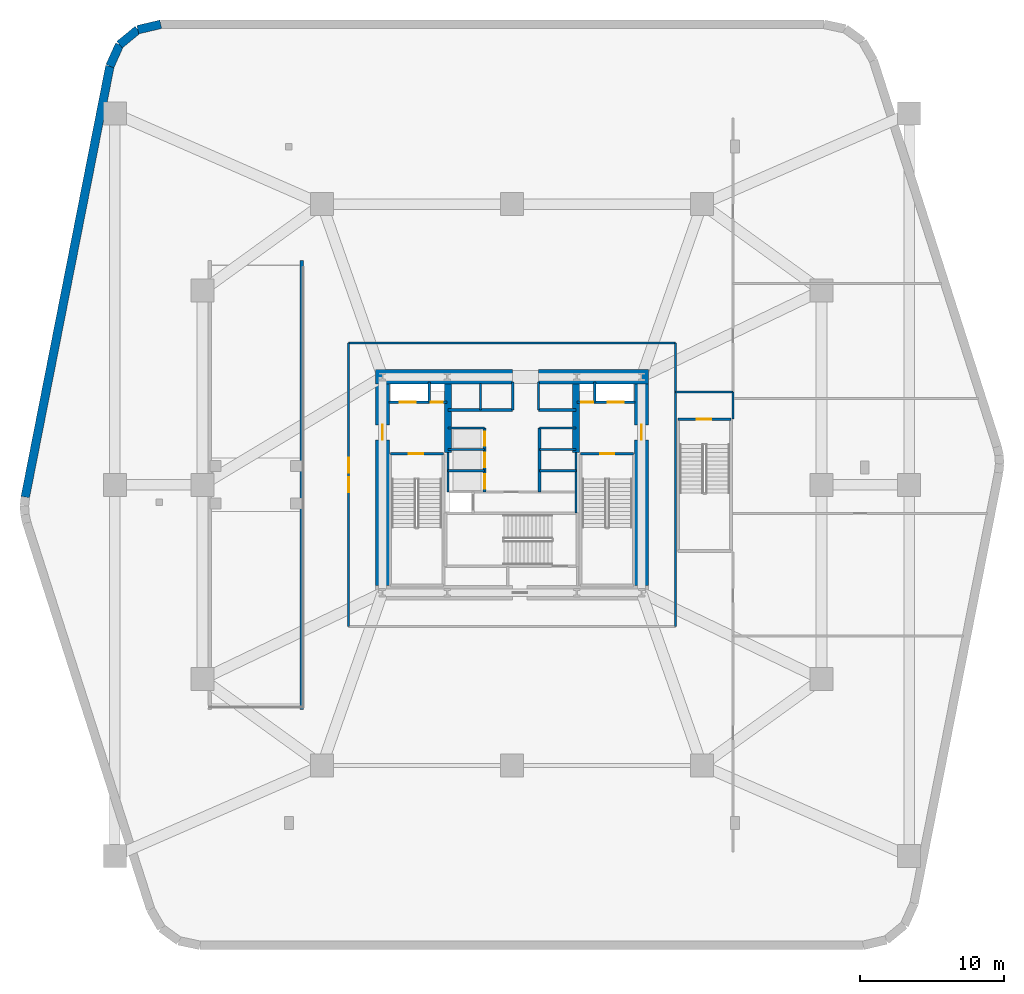
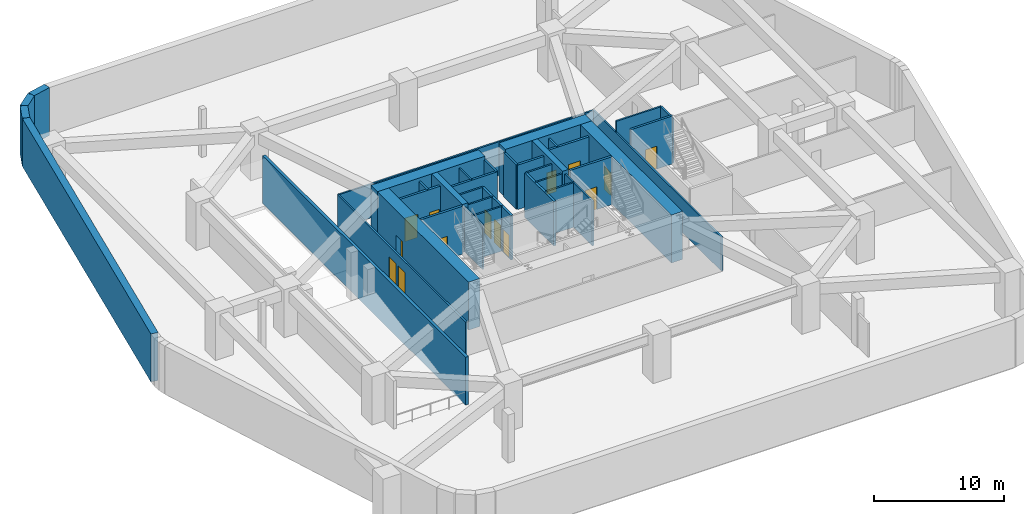
# One storey, part 4 of 9: 38 walls, 14 doors, 14 openings.
"""IFC4 building model written with IfcOpenShell, lengths in metres."""

from ifc_helpers import new_model, si_unit, direction, frame, frame_2d, origin, place, context, subcontext, project, spatial, rectangle, extrude, material, layer, layer_set, type_object, element, fill, save


model = new_model("IFC4")

# Units and contexts
model_context = context("Model", 3, precision=1e-05, world=origin(), true_north=direction((0.0, 1.0)))
body_context = subcontext(model_context, "Body", "Model", "MODEL_VIEW")
ifc_project = project(units=[si_unit("LENGTHUNIT", "METRE"), si_unit("AREAUNIT", "SQUARE_METRE"), si_unit("VOLUMEUNIT", "CUBIC_METRE"), si_unit("PLANEANGLEUNIT", "RADIAN"), si_unit("MASSUNIT", "GRAM", prefix="KILO")], contexts=[model_context])

# Site, building, storey
site_placement = place(None, origin())
site = spatial("IfcSite", under=ifc_project, at=site_placement, CompositionType="ELEMENT")
building_placement = place(site_placement, origin())
building = spatial("IfcBuilding", under=site, at=building_placement, Name="Kilnhurst Terrace Hotel", CompositionType="ELEMENT")
storey_placement = place(building_placement, frame((0.0, 0.0, -4.5)))
storey = spatial("IfcBuildingStorey", under=building, at=storey_placement, Name="B1", CompositionType="ELEMENT", Elevation=-4.5)

# Wall, openings, doors
ifc_material_1 = material(Name="Acoustic Double-Gypsum Corridor Partition Assembly")
ifc_layer_1 = layer(ifc_material_1, 0.14990234375, Name="Acoustic Double-Gypsum Corridor Partition Assembly")
ifc_layer_set_1 = layer_set([ifc_layer_1], Name="Acoustic Double-Gypsum Corridor Partition Assembly")
wall_type_1 = type_object("IfcWallType", Name="WL-COR-150", PredefinedType="PARTITIONING", material=ifc_layer_set_1)
wall_1_placement = place(storey_placement, frame((-11.35009765625, -9.85009765625, 0.0), z_axis=(0.0, 0.0, 1.0), x_axis=(0.0, 1.0, 0.0)))
wall_1 = element("IfcWall", 1, at=wall_1_placement, inside=storey, type_object=wall_type_1, Name="B1 Interior Wall WL-B1-COR-01", PredefinedType="PARTITIONING", context=body_context, shape_type="SweptSolid", body=[
    extrude(rectangle(XDim=19.7001953125, YDim=0.14990234375, at=frame_2d((9.85009765625, 0.0))), origin(), (0.0, 0.0, 1.0), 3.169921875),
])
opening_1_placement = place(wall_1_placement, frame((9.324951171875, 0.0, 0.0)))
opening_1 = element("IfcOpeningElement", 2, at=opening_1_placement, cuts=wall_1, Name="Opening D-90A", PredefinedType="OPENING", context=body_context, shape_type="SweptSolid", body=[
    extrude(rectangle(XDim=1.050048828125, YDim=2.14990234375, at=frame_2d((0.52490234375, 1.074951171875))), frame((0.0, 0.0849609375, 0.0), z_axis=(0.0, -1.0, 0.0), x_axis=(1.0, 0.0, 0.0)), (0.0, 0.0, 1.0), 0.169921875),
])
opening_2_placement = place(wall_1_placement, frame((10.675048828125, 0.0, 0.0)))
opening_2 = element("IfcOpeningElement", 3, at=opening_2_placement, cuts=wall_1, Name="Opening D-90A", PredefinedType="OPENING", context=body_context, shape_type="SweptSolid", body=[
    extrude(rectangle(XDim=1.050048828125, YDim=2.14990234375, at=frame_2d((0.52490234375, 1.074951171875))), frame((0.0, 0.0849609375, 0.0), z_axis=(0.0, -1.0, 0.0), x_axis=(1.0, 0.0, 0.0)), (0.0, 0.0, 1.0), 0.169921875),
])
ifc_material_2 = material(Name="Painted Hollow Metal Steel ASTM A36 Fire Door", Category="steel")
door_type_1 = type_object("IfcDoorType", Name="DR-FD90-1050", OperationType="NOTDEFINED", PredefinedType="DOOR", material=ifc_material_2)
door_1_placement = place(opening_1_placement, origin())
door_1 = element("IfcDoor", 4, at=door_1_placement, inside=storey, type_object=door_type_1, Name="B1 Car Park West Vestibule Door", OperationType="SINGLE_SWING_LEFT", OverallHeight=2.14990234375, OverallWidth=1.050048828125, PredefinedType="DOOR", context=body_context, shape_type="SweptSolid", body=[
    extrude(rectangle(XDim=1.050048828125, YDim=2.14990234375, at=frame_2d((0.52490234375, 1.074951171875))), frame((0.0, 0.02490234375, 0.0), z_axis=(0.0, -1.0, 0.0), x_axis=(1.0, 0.0, 0.0)), (0.0, 0.0, 1.0), 0.050048828125),
])
fill(opening_1, door_1)
door_2_placement = place(opening_2_placement, origin())
door_2 = element("IfcDoor", 5, at=door_2_placement, inside=storey, type_object=door_type_1, Name="B1 Car Park South Corridor Door", OperationType="SINGLE_SWING_RIGHT", OverallHeight=2.14990234375, OverallWidth=1.050048828125, PredefinedType="DOOR", context=body_context, shape_type="SweptSolid", body=[
    extrude(rectangle(XDim=1.050048828125, YDim=2.14990234375, at=frame_2d((0.52490234375, 1.074951171875))), frame((0.0, 0.02490234375, 0.0), z_axis=(0.0, -1.0, 0.0), x_axis=(1.0, 0.0, 0.0)), (0.0, 0.0, 1.0), 0.050048828125),
])
fill(opening_2, door_2)

# Walls
wall_2_placement = place(storey_placement, frame((-11.35009765625, 9.85009765625, 0.0), z_axis=(0.0, 0.0, 1.0), x_axis=(1.0, 0.0, 0.0)))
element("IfcWall", 6, at=wall_2_placement, inside=storey, type_object=wall_type_1, Name="B1 Interior Wall WL-B1-COR-02", PredefinedType="PARTITIONING", context=body_context, shape_type="SweptSolid", body=[
    extrude(rectangle(XDim=22.7001953125, YDim=0.14990234375, at=frame_2d((11.35009765625, 0.0))), origin(), (0.0, 0.0, 1.0), 3.169921875),
])
wall_3_placement = place(storey_placement, frame((11.35009765625, 9.85009765625, 0.0), z_axis=(0.0, 0.0, 1.0), x_axis=(0.0, -1.0, 0.0)))
element("IfcWall", 7, at=wall_3_placement, inside=storey, type_object=wall_type_1, Name="B1 Interior Wall WL-B1-COR-03", PredefinedType="PARTITIONING", context=body_context, shape_type="SweptSolid", body=[
    extrude(rectangle(XDim=19.7001953125, YDim=0.14990234375, at=frame_2d((9.85009765625, 0.0))), origin(), (0.0, 0.0, 1.0), 3.169921875),
])
wall_4_placement = place(storey_placement, frame((11.35009765625, 6.449951171875, 0.0), z_axis=(0.0, 0.0, 1.0), x_axis=(1.0, 0.0, 0.0)))
element("IfcWall", 8, at=wall_4_placement, inside=storey, type_object=wall_type_1, Name="B1 Interior Wall WL-B1-ST4-VEST-N", PredefinedType="PARTITIONING", context=body_context, shape_type="SweptSolid", body=[
    extrude(rectangle(XDim=4.0, YDim=0.14990234375, at=frame_2d((2.0, 0.0))), origin(), (0.0, 0.0, 1.0), 4.179931640625),
])
wall_5_placement = place(storey_placement, frame((15.35009765625, 4.55810546875, 0.0), z_axis=(0.0, 0.0, 1.0), x_axis=(0.0, 1.0, 0.0)))
element("IfcWall", 9, at=wall_5_placement, inside=storey, type_object=wall_type_1, Name="B1 Interior Wall WL-B1-ST4-VEST-E", PredefinedType="PARTITIONING", context=body_context, shape_type="SweptSolid", body=[
    extrude(rectangle(XDim=1.891845703125, YDim=0.14990234375, at=frame_2d((0.94580078125, 0.0))), origin(), (0.0, 0.0, 1.0), 4.179931640625),
])
ifc_material_3 = material(Name="Concrete C80/95", Category="concrete")
ifc_layer_2 = layer(ifc_material_3, 1.0, Name="Concrete C80/95")
ifc_layer_set_2 = layer_set([ifc_layer_2], Name="Concrete C80/95")
wall_type_2 = type_object("IfcWallType", Name="WL-CORE-1000", PredefinedType="SHEAR", material=ifc_layer_set_2)
wall_6_placement = place(storey_placement, frame((-9.5, 7.5, 0.0), z_axis=(0.0, 0.0, 1.0), x_axis=(1.0, 0.0, 0.0)))
element("IfcWall", 10, at=wall_6_placement, inside=storey, type_object=wall_type_2, Name="B1 Core North West Shear Wall", PredefinedType="SHEAR", context=body_context, shape_type="SweptSolid", body=[
    extrude(rectangle(XDim=9.550048828125, YDim=1.0, at=frame_2d((4.77490234375, 0.0))), origin(), (0.0, 0.0, 1.0), 4.5),
])
wall_7_placement = place(storey_placement, frame((1.85009765625, 7.5, 0.0), z_axis=(0.0, 0.0, 1.0), x_axis=(1.0, 0.0, 0.0)))
element("IfcWall", 11, at=wall_7_placement, inside=storey, type_object=wall_type_2, Name="B1 Core North East Shear Wall", PredefinedType="SHEAR", context=body_context, shape_type="SweptSolid", body=[
    extrude(rectangle(XDim=7.64990234375, YDim=1.0, at=frame_2d((3.824951171875, 0.0))), origin(), (0.0, 0.0, 1.0), 4.5),
])

# Wall, opening, door
wall_8_placement = place(storey_placement, frame((-9.0, -7.0, 0.0), z_axis=(0.0, 0.0, 1.0), x_axis=(0.0, 1.0, 0.0)))
wall_8 = element("IfcWall", 12, at=wall_8_placement, inside=storey, type_object=wall_type_2, Name="B1 Core West Shear Wall", PredefinedType="SHEAR", context=body_context, shape_type="SweptSolid", body=[
    extrude(rectangle(XDim=14.0, YDim=1.0, at=frame_2d((7.0, 0.0))), origin(), (0.0, 0.0, 1.0), 4.5),
])
opening_3_placement = place(wall_8_placement, frame((10.125, 0.0, 0.0)))
opening_3 = element("IfcOpeningElement", 13, at=opening_3_placement, cuts=wall_8, Name="Opening D-90A", PredefinedType="OPENING", context=body_context, shape_type="SweptSolid", body=[
    extrude(rectangle(XDim=1.050048828125, YDim=2.14990234375, at=frame_2d((0.52490234375, 1.074951171875))), frame((0.0, 0.510009765625, 0.0), z_axis=(0.0, -1.0, 0.0), x_axis=(1.0, 0.0, 0.0)), (0.0, 0.0, 1.0), 1.02001953125),
])
door_3_placement = place(opening_3_placement, origin())
door_3 = element("IfcDoor", 14, at=door_3_placement, inside=storey, type_object=door_type_1, Name="B1 West Firefighting Lobby Door", OperationType="SINGLE_SWING_RIGHT", OverallHeight=2.14990234375, OverallWidth=1.050048828125, PredefinedType="DOOR", context=body_context, shape_type="SweptSolid", body=[
    extrude(rectangle(XDim=1.050048828125, YDim=2.14990234375, at=frame_2d((0.52490234375, 1.074951171875))), frame((0.0, 0.02490234375, 0.0), z_axis=(0.0, -1.0, 0.0), x_axis=(1.0, 0.0, 0.0)), (0.0, 0.0, 1.0), 0.050048828125),
])
fill(opening_3, door_3)

wall_9_placement = place(storey_placement, frame((9.0, -7.0, 0.0), z_axis=(0.0, 0.0, 1.0), x_axis=(0.0, 1.0, 0.0)))
wall_9 = element("IfcWall", 15, at=wall_9_placement, inside=storey, type_object=wall_type_2, Name="B1 Core East Shear Wall", PredefinedType="SHEAR", context=body_context, shape_type="SweptSolid", body=[
    extrude(rectangle(XDim=14.0, YDim=1.0, at=frame_2d((7.0, 0.0))), origin(), (0.0, 0.0, 1.0), 4.5),
])
opening_4_placement = place(wall_9_placement, frame((10.125, 0.0, 0.0)))
opening_4 = element("IfcOpeningElement", 16, at=opening_4_placement, cuts=wall_9, Name="Opening D-90A", PredefinedType="OPENING", context=body_context, shape_type="SweptSolid", body=[
    extrude(rectangle(XDim=1.050048828125, YDim=2.14990234375, at=frame_2d((0.52490234375, 1.074951171875))), frame((0.0, 0.510009765625, 0.0), z_axis=(0.0, -1.0, 0.0), x_axis=(1.0, 0.0, 0.0)), (0.0, 0.0, 1.0), 1.02001953125),
])
door_4_placement = place(opening_4_placement, origin())
door_4 = element("IfcDoor", 17, at=door_4_placement, inside=storey, type_object=door_type_1, Name="B1 East Firefighting Lobby Door", OperationType="SINGLE_SWING_LEFT", OverallHeight=2.14990234375, OverallWidth=1.050048828125, PredefinedType="DOOR", context=body_context, shape_type="SweptSolid", body=[
    extrude(rectangle(XDim=1.050048828125, YDim=2.14990234375, at=frame_2d((0.52490234375, 1.074951171875))), frame((0.0, 0.02490234375, 0.0), z_axis=(0.0, -1.0, 0.0), x_axis=(1.0, 0.0, 0.0)), (0.0, 0.0, 1.0), 0.050048828125),
])
fill(opening_4, door_4)

# Walls
ifc_material_4 = material(Name="Concrete C60/75", Category="concrete")
ifc_layer_3 = layer(ifc_material_4, 0.5, Name="Concrete C60/75")
ifc_layer_set_3 = layer_set([ifc_layer_3], Name="Concrete C60/75")
wall_type_3 = type_object("IfcWallType", Name="WL-CORE-WEB-500", PredefinedType="SHEAR", material=ifc_layer_set_3)
for number, where, z_axis, x_axis, name in (
    (18, (-4.449951171875, 2.25, 0.0), (0.0, 0.0, 1.0), (0.0, 1.0, 0.0), "B1 Core Internal West Shear Web"),
    (19, (4.449951171875, 2.25, 0.0), (0.0, 0.0, 1.0), (0.0, 1.0, 0.0), "B1 Core Internal East Shear Web"),
):
    element("IfcWall", number, at=place(storey_placement, frame(where, z_axis=z_axis, x_axis=x_axis)), inside=storey, type_object=wall_type_3, Name=name, PredefinedType="SHEAR", context=body_context, shape_type="SweptSolid", body=[
        extrude(rectangle(XDim=4.75, YDim=0.5, at=frame_2d((2.375, 0.0))), origin(), (0.0, 0.0, 1.0), 4.5),
    ])
ifc_material_5 = material(Name="Concrete C50/60", Category="concrete")
ifc_layer_4 = layer(ifc_material_5, 0.25, Name="Concrete C50/60")
ifc_layer_set_4 = layer_set([ifc_layer_4], Name="Concrete C50/60")
wall_type_4 = type_object("IfcWallType", Name="WL-RAMP-RC-250", PredefinedType="SHEAR", material=ifc_layer_set_4)
wall_10_placement = place(storey_placement, frame((-14.60009765625, -15.60009765625, 0.0), z_axis=(0.0, 0.0, 1.0), x_axis=(0.0, 1.0, 0.0)))
element("IfcWall", 20, at=wall_10_placement, inside=storey, type_object=wall_type_4, Name="B1 Car Park Ramp Structural Support Wall E", PredefinedType="SHEAR", context=body_context, shape_type="SweptSolid", body=[
    extrude(rectangle(XDim=31.2001953125, YDim=0.25, at=frame_2d((15.60009765625, 0.0))), origin(), (0.0, 0.0, 1.0), 4.5),
])
ifc_layer_5 = layer(ifc_material_5, 0.60009765625, Name="Concrete C50/60")
ifc_layer_set_5 = layer_set([ifc_layer_5], Name="Concrete C50/60")
wall_type_5 = type_object("IfcWallType", Name="WL-RET-600", PredefinedType="SHEAR", material=ifc_layer_set_5)
wall_11_placement = place(storey_placement, frame((-24.408203125, 32.0, 0.0), z_axis=(0.0, 0.0, 1.0), x_axis=(-0.973787308354, -0.227460497864, 0.0)))
element("IfcWall", 21, at=wall_11_placement, inside=storey, type_object=wall_type_5, Name="B1 Perimeter Shear Retaining Wall 17", PredefinedType="SHEAR", context=body_context, shape_type="SweptSolid", body=[
    extrude(rectangle(XDim=1.637939453125, YDim=0.60009765625, at=frame_2d((0.81884765625, 0.0))), origin(), (0.0, 0.0, 1.0), 4.5),
])
for number, where, z_axis, x_axis, name in (
    (22, (-26.003173828125, 31.62744140625, 0.0), (0.0, 0.0, 1.0), (-0.772214171592, -0.635362316472, 0.0), "B1 Perimeter Shear Retaining Wall 18"),
    (23, (-27.267822265625, 30.5869140625, 0.0), (0.0, 0.0, 1.0), (-0.410835694769, -0.911709401018, 0.0), "B1 Perimeter Shear Retaining Wall 19"),
):
    element("IfcWall", number, at=place(storey_placement, frame(where, z_axis=z_axis, x_axis=x_axis)), inside=storey, type_object=wall_type_5, Name=name, PredefinedType="SHEAR", context=body_context, shape_type="SweptSolid", body=[
        extrude(rectangle(XDim=1.6376953125, YDim=0.60009765625, at=frame_2d((0.81884765625, 0.0))), origin(), (0.0, 0.0, 1.0), 4.5),
    ])
wall_12_placement = place(storey_placement, frame((-27.940673828125, 29.09375, 0.0), z_axis=(0.0, 0.0, 1.0), x_axis=(-0.192705549984, -0.981256628515, 0.0)))
element("IfcWall", 24, at=wall_12_placement, inside=storey, type_object=wall_type_5, Name="B1 Perimeter Shear Retaining Wall 20", PredefinedType="SHEAR", context=body_context, shape_type="SweptSolid", body=[
    extrude(rectangle(XDim=30.51611328125, YDim=0.60009765625, at=frame_2d((15.258056640625, 0.0))), origin(), (0.0, 0.0, 1.0), 4.5),
])
ifc_material_6 = material(Name="Fire-Rated Gypsum Shaftliner Assembly")
ifc_layer_6 = layer(ifc_material_6, 0.14990234375, Name="Fire-Rated Gypsum Shaftliner Assembly")
ifc_layer_set_6 = layer_set([ifc_layer_6], Name="Fire-Rated Gypsum Shaftliner Assembly")
wall_type_6 = type_object("IfcWallType", Name="WL-SHAFT-150", PredefinedType="PARTITIONING", material=ifc_layer_set_6)
for number, where, z_axis, x_axis, name in (
    (25, (-5.75, 5.739990234375, 0.0), (0.0, 0.0, 1.0), (0.0, 1.0, 0.0), "B1 Interior Wall WL-B1-RIS1-DIV"),
    (26, (5.75, 5.739990234375, 0.0), (0.0, 0.0, 1.0), (0.0, 1.0, 0.0), "B1 Interior Wall WL-B1-RIS2-DIV"),
):
    element("IfcWall", number, at=place(storey_placement, frame(where, z_axis=z_axis, x_axis=x_axis)), inside=storey, type_object=wall_type_6, Name=name, PredefinedType="PARTITIONING", context=body_context, shape_type="SweptSolid", body=[
        extrude(rectangle(XDim=1.409912109375, YDim=0.14990234375, at=frame_2d((0.705078125, 0.0))), origin(), (0.0, 0.0, 1.0), 4.179931640625),
    ])
wall_13_placement = place(storey_placement, frame((-2.199951171875, 5.199951171875, 0.0), z_axis=(0.0, 0.0, 1.0), x_axis=(0.0, 1.0, 0.0)))
element("IfcWall", 27, at=wall_13_placement, inside=storey, type_object=wall_type_6, Name="B1 Interior Wall WL-B1-HR-DIV1", PredefinedType="PARTITIONING", context=body_context, shape_type="SweptSolid", body=[
    extrude(rectangle(XDim=1.85009765625, YDim=0.14990234375, at=frame_2d((0.925048828125, 0.0))), origin(), (0.0, 0.0, 1.0), 4.179931640625),
])
for number, where, z_axis, x_axis, name in (
    (28, (0.050048828125, 5.199951171875, 0.0), (0.0, 0.0, 1.0), (0.0, 1.0, 0.0), "B1 Interior Wall WL-B1-HR-PORTAL-W"),
    (29, (1.85009765625, 5.199951171875, 0.0), (0.0, 0.0, 1.0), (0.0, 1.0, 0.0), "B1 Interior Wall WL-B1-HR-PORTAL-E"),
):
    element("IfcWall", number, at=place(storey_placement, frame(where, z_axis=z_axis, x_axis=x_axis)), inside=storey, type_object=wall_type_6, Name=name, PredefinedType="PARTITIONING", context=body_context, shape_type="SweptSolid", body=[
        extrude(rectangle(XDim=1.949951171875, YDim=0.14990234375, at=frame_2d((0.97509765625, 0.0))), origin(), (0.0, 0.0, 1.0), 4.179931640625),
    ])
wall_14_placement = place(storey_placement, frame((-4.449951171875, -0.5, 0.0), z_axis=(0.0, 0.0, 1.0), x_axis=(0.0, 1.0, 0.0)))
element("IfcWall", 30, at=wall_14_placement, inside=storey, type_object=wall_type_6, Name="B1 Interior Wall WL-B1-XLOB-W", PredefinedType="PARTITIONING", context=body_context, shape_type="SweptSolid", body=[
    extrude(rectangle(XDim=2.75, YDim=0.14990234375, at=frame_2d((1.375, 0.0))), origin(), (0.0, 0.0, 1.0), 4.179931640625),
])
wall_15_placement = place(storey_placement, frame((4.449951171875, -1.971923828125, 0.0), z_axis=(0.0, 0.0, 1.0), x_axis=(0.0, 1.0, 0.0)))
element("IfcWall", 31, at=wall_15_placement, inside=storey, type_object=wall_type_6, Name="B1 Interior Wall WL-B1-XLOB-E", PredefinedType="PARTITIONING", context=body_context, shape_type="SweptSolid", body=[
    extrude(rectangle(XDim=4.221923828125, YDim=0.14990234375, at=frame_2d((2.11083984375, 0.0))), origin(), (0.0, 0.0, 1.0), 4.179931640625),
])
for number, where, z_axis, x_axis, name in (
    (32, (-4.449951171875, 3.93994140625, 0.0), (0.0, 0.0, 1.0), (1.0, 0.0, 0.0), "B1 Interior Wall WL-B1-LR-NORTH"),
    (33, (-4.449951171875, 0.97998046875, 0.0), (0.0, 0.0, 1.0), (1.0, 0.0, 0.0), "B1 Interior Wall WL-B1-LR-D1"),
    (34, (-4.449951171875, 2.4599609375, 0.0), (0.0, 0.0, 1.0), (1.0, 0.0, 0.0), "B1 Interior Wall WL-B1-LR-D2"),
    (35, (1.89990234375, 3.93994140625, 0.0), (0.0, 0.0, 1.0), (1.0, 0.0, 0.0), "B1 Interior Wall WL-B1-MR-NORTH"),
    (36, (1.89990234375, 0.97998046875, 0.0), (0.0, 0.0, 1.0), (1.0, 0.0, 0.0), "B1 Interior Wall WL-B1-MR-D1"),
    (37, (1.89990234375, 2.4599609375, 0.0), (0.0, 0.0, 1.0), (1.0, 0.0, 0.0), "B1 Interior Wall WL-B1-MR-D2"),
):
    element("IfcWall", number, at=place(storey_placement, frame(where, z_axis=z_axis, x_axis=x_axis)), inside=storey, type_object=wall_type_6, Name=name, PredefinedType="PARTITIONING", context=body_context, shape_type="SweptSolid", body=[
        extrude(rectangle(XDim=2.550048828125, YDim=0.14990234375, at=frame_2d((1.27490234375, 0.0))), origin(), (0.0, 0.0, 1.0), 4.179931640625),
    ])

# Wall, openings, doors
ifc_material_7 = material(Name="Autoclaved Aerated Concrete C30/37 and Gypsum Shaft Assembly", Category="concrete")
ifc_layer_7 = layer(ifc_material_7, 0.199951171875, Name="Autoclaved Aerated Concrete C30/37 and Gypsum Shaft Assembly")
ifc_layer_set_7 = layer_set([ifc_layer_7], Name="Autoclaved Aerated Concrete C30/37 and Gypsum Shaft Assembly")
wall_type_7 = type_object("IfcWallType", Name="WL-SHAFT-200", PredefinedType="PARTITIONING", material=ifc_layer_set_7)
wall_16_placement = place(storey_placement, frame((-8.550048828125, 5.739990234375, 0.0), z_axis=(0.0, 0.0, 1.0), x_axis=(1.0, 0.0, 0.0)))
wall_16 = element("IfcWall", 38, at=wall_16_placement, inside=storey, type_object=wall_type_7, Name="B1 Interior Wall WL-B1-FSAE1-S", PredefinedType="PARTITIONING", context=body_context, shape_type="SweptSolid", body=[
    extrude(rectangle(XDim=4.050048828125, YDim=0.199951171875, at=frame_2d((2.02490234375, 0.0))), origin(), (0.0, 0.0, 1.0), 4.179931640625),
])
opening_5_placement = place(wall_16_placement, frame((0.75, 0.0, 0.0)))
opening_5 = element("IfcOpeningElement", 39, at=opening_5_placement, cuts=wall_16, Name="Opening LD-F1", PredefinedType="OPENING", context=body_context, shape_type="SweptSolid", body=[
    extrude(rectangle(XDim=1.10009765625, YDim=2.199951171875, at=frame_2d((0.550048828125, 1.10009765625))), frame((0.0, 0.10986328125, 0.0), z_axis=(0.0, -1.0, 0.0), x_axis=(1.0, 0.0, 0.0)), (0.0, 0.0, 1.0), 0.219970703125),
])
opening_6_placement = place(wall_16_placement, frame((2.89990234375, 0.0, 0.0)))
opening_6 = element("IfcOpeningElement", 40, at=opening_6_placement, cuts=wall_16, Name="Opening D-60D", PredefinedType="OPENING", context=body_context, shape_type="SweptSolid", body=[
    extrude(rectangle(XDim=0.85009765625, YDim=2.030029296875, at=frame_2d((0.425048828125, 1.01513671875))), frame((0.0, 0.10986328125, 0.0), z_axis=(0.0, -1.0, 0.0), x_axis=(1.0, 0.0, 0.0)), (0.0, 0.0, 1.0), 0.219970703125),
])
ifc_material_8 = material(Name="Painted Hollow Metal Steel ASTM A36 Riser Door", Category="steel")
door_type_2 = type_object("IfcDoorType", Name="DR-FD60-850", OperationType="NOTDEFINED", PredefinedType="DOOR", material=ifc_material_8)
door_5_placement = place(opening_6_placement, origin())
door_5 = element("IfcDoor", 41, at=door_5_placement, inside=storey, type_object=door_type_2, Name="B1 Electrical Riser Door", OperationType="SINGLE_SWING_LEFT", OverallHeight=2.030029296875, OverallWidth=0.85009765625, PredefinedType="DOOR", context=body_context, shape_type="SweptSolid", body=[
    extrude(rectangle(XDim=0.85009765625, YDim=2.030029296875, at=frame_2d((0.425048828125, 1.01513671875))), frame((0.0, 0.02490234375, 0.0), z_axis=(0.0, -1.0, 0.0), x_axis=(1.0, 0.0, 0.0)), (0.0, 0.0, 1.0), 0.050048828125),
])
fill(opening_6, door_5)
ifc_material_9 = material(Name="Bronze-Anodized Stainless Steel AISI 316L Sliding Door", Category="steel")
door_type_3 = type_object("IfcDoorType", Name="DR-LIFT-1100", OperationType="NOTDEFINED", PredefinedType="DOOR", material=ifc_material_9)
door_6_placement = place(opening_5_placement, origin())
door_6 = element("IfcDoor", 42, at=door_6_placement, inside=storey, type_object=door_type_3, Name="B1 FSAE-1 Landing Door", OperationType="SLIDING_TO_LEFT", OverallHeight=2.199951171875, OverallWidth=1.10009765625, PredefinedType="DOOR", context=body_context, shape_type="SweptSolid", body=[
    extrude(rectangle(XDim=1.10009765625, YDim=2.199951171875, at=frame_2d((0.550048828125, 1.10009765625))), frame((0.0, 0.02490234375, 0.0), z_axis=(0.0, -1.0, 0.0), x_axis=(1.0, 0.0, 0.0)), (0.0, 0.0, 1.0), 0.050048828125),
])
fill(opening_5, door_6)

wall_17_placement = place(storey_placement, frame((4.5, 5.739990234375, 0.0), z_axis=(0.0, 0.0, 1.0), x_axis=(1.0, 0.0, 0.0)))
wall_17 = element("IfcWall", 43, at=wall_17_placement, inside=storey, type_object=wall_type_7, Name="B1 Interior Wall WL-B1-FSAE2-S", PredefinedType="PARTITIONING", context=body_context, shape_type="SweptSolid", body=[
    extrude(rectangle(XDim=4.050048828125, YDim=0.199951171875, at=frame_2d((2.02490234375, 0.0))), origin(), (0.0, 0.0, 1.0), 4.179931640625),
])
opening_7_placement = place(wall_17_placement, frame((0.300048828125, 0.0, 0.0)))
opening_7 = element("IfcOpeningElement", 44, at=opening_7_placement, cuts=wall_17, Name="Opening D-60D", PredefinedType="OPENING", context=body_context, shape_type="SweptSolid", body=[
    extrude(rectangle(XDim=0.85009765625, YDim=2.030029296875, at=frame_2d((0.425048828125, 1.01513671875))), frame((0.0, 0.10986328125, 0.0), z_axis=(0.0, -1.0, 0.0), x_axis=(1.0, 0.0, 0.0)), (0.0, 0.0, 1.0), 0.219970703125),
])
opening_8_placement = place(wall_17_placement, frame((2.14990234375, 0.0, 0.0)))
opening_8 = element("IfcOpeningElement", 45, at=opening_8_placement, cuts=wall_17, Name="Opening LD-F2", PredefinedType="OPENING", context=body_context, shape_type="SweptSolid", body=[
    extrude(rectangle(XDim=1.10009765625, YDim=2.199951171875, at=frame_2d((0.550048828125, 1.10009765625))), frame((0.0, 0.10986328125, 0.0), z_axis=(0.0, -1.0, 0.0), x_axis=(1.0, 0.0, 0.0)), (0.0, 0.0, 1.0), 0.219970703125),
])
door_7_placement = place(opening_7_placement, origin())
door_7 = element("IfcDoor", 46, at=door_7_placement, inside=storey, type_object=door_type_2, Name="B1 Telecom Riser Door", OperationType="SINGLE_SWING_RIGHT", OverallHeight=2.030029296875, OverallWidth=0.85009765625, PredefinedType="DOOR", context=body_context, shape_type="SweptSolid", body=[
    extrude(rectangle(XDim=0.85009765625, YDim=2.030029296875, at=frame_2d((0.425048828125, 1.01513671875))), frame((0.0, 0.02490234375, 0.0), z_axis=(0.0, -1.0, 0.0), x_axis=(1.0, 0.0, 0.0)), (0.0, 0.0, 1.0), 0.050048828125),
])
fill(opening_7, door_7)
door_8_placement = place(opening_8_placement, origin())
door_8 = element("IfcDoor", 47, at=door_8_placement, inside=storey, type_object=door_type_3, Name="B1 FSAE-2 Landing Door", OperationType="SLIDING_TO_RIGHT", OverallHeight=2.199951171875, OverallWidth=1.10009765625, PredefinedType="DOOR", context=body_context, shape_type="SweptSolid", body=[
    extrude(rectangle(XDim=1.10009765625, YDim=2.199951171875, at=frame_2d((0.550048828125, 1.10009765625))), frame((0.0, 0.02490234375, 0.0), z_axis=(0.0, -1.0, 0.0), x_axis=(1.0, 0.0, 0.0)), (0.0, 0.0, 1.0), 0.050048828125),
])
fill(opening_8, door_8)

# Walls
wall_18_placement = place(storey_placement, frame((-4.449951171875, 5.199951171875, 0.0), z_axis=(0.0, 0.0, 1.0), x_axis=(1.0, 0.0, 0.0)))
element("IfcWall", 48, at=wall_18_placement, inside=storey, type_object=wall_type_7, Name="B1 Interior Wall WL-B1-HR-SW", PredefinedType="PARTITIONING", context=body_context, shape_type="SweptSolid", body=[
    extrude(rectangle(XDim=4.5, YDim=0.199951171875, at=frame_2d((2.25, 0.0))), origin(), (0.0, 0.0, 1.0), 4.179931640625),
])
wall_19_placement = place(storey_placement, frame((1.85009765625, 5.199951171875, 0.0), z_axis=(0.0, 0.0, 1.0), x_axis=(1.0, 0.0, 0.0)))
element("IfcWall", 49, at=wall_19_placement, inside=storey, type_object=wall_type_7, Name="B1 Interior Wall WL-B1-HR-SE", PredefinedType="PARTITIONING", context=body_context, shape_type="SweptSolid", body=[
    extrude(rectangle(XDim=2.599853515625, YDim=0.199951171875, at=frame_2d((1.2998046875, 0.0))), origin(), (0.0, 0.0, 1.0), 4.179931640625),
])

# Wall, openings, doors
wall_20_placement = place(storey_placement, frame((-1.89990234375, -0.5, 0.0), z_axis=(0.0, 0.0, 1.0), x_axis=(0.0, 1.0, 0.0)))
wall_20 = element("IfcWall", 50, at=wall_20_placement, inside=storey, type_object=wall_type_7, Name="B1 Interior Wall WL-B1-LR-FRONT", PredefinedType="PARTITIONING", context=body_context, shape_type="SweptSolid", body=[
    extrude(rectangle(XDim=4.43994140625, YDim=0.199951171875, at=frame_2d((2.219970703125, 0.0))), origin(), (0.0, 0.0, 1.0), 4.179931640625),
])
opening_9_placement = place(wall_20_placement, frame((0.239990234375, 0.0, 0.0)))
opening_9 = element("IfcOpeningElement", 51, at=opening_9_placement, cuts=wall_20, Name="Opening LD-LR", PredefinedType="OPENING", context=body_context, shape_type="SweptSolid", body=[
    extrude(rectangle(XDim=1.0, YDim=2.199951171875, at=frame_2d((0.5, 1.10009765625))), frame((0.0, 0.10986328125, 0.0), z_axis=(0.0, -1.0, 0.0), x_axis=(1.0, 0.0, 0.0)), (0.0, 0.0, 1.0), 0.219970703125),
])
opening_10_placement = place(wall_20_placement, frame((1.719970703125, 0.0, 0.0)))
opening_10 = element("IfcOpeningElement", 52, at=opening_10_placement, cuts=wall_20, Name="Opening LD-LR", PredefinedType="OPENING", context=body_context, shape_type="SweptSolid", body=[
    extrude(rectangle(XDim=1.0, YDim=2.199951171875, at=frame_2d((0.5, 1.10009765625))), frame((0.0, 0.10986328125, 0.0), z_axis=(0.0, -1.0, 0.0), x_axis=(1.0, 0.0, 0.0)), (0.0, 0.0, 1.0), 0.219970703125),
])
opening_11_placement = place(wall_20_placement, frame((3.199951171875, 0.0, 0.0)))
opening_11 = element("IfcOpeningElement", 53, at=opening_11_placement, cuts=wall_20, Name="Opening LD-LR", PredefinedType="OPENING", context=body_context, shape_type="SweptSolid", body=[
    extrude(rectangle(XDim=1.0, YDim=2.199951171875, at=frame_2d((0.5, 1.10009765625))), frame((0.0, 0.10986328125, 0.0), z_axis=(0.0, -1.0, 0.0), x_axis=(1.0, 0.0, 0.0)), (0.0, 0.0, 1.0), 0.219970703125),
])
door_type_4 = type_object("IfcDoorType", Name="DR-LIFT-1000", OperationType="NOTDEFINED", PredefinedType="DOOR", material=ifc_material_9)
door_9_placement = place(opening_9_placement, origin())
door_9 = element("IfcDoor", 54, at=door_9_placement, inside=storey, type_object=door_type_4, Name="B1 Low Rise Lift LR-1 Landing Door", OperationType="SLIDING_TO_LEFT", OverallHeight=2.199951171875, OverallWidth=1.0, PredefinedType="DOOR", context=body_context, shape_type="SweptSolid", body=[
    extrude(rectangle(XDim=1.0, YDim=2.199951171875, at=frame_2d((0.5, 1.10009765625))), frame((0.0, 0.02490234375, 0.0), z_axis=(0.0, -1.0, 0.0), x_axis=(1.0, 0.0, 0.0)), (0.0, 0.0, 1.0), 0.050048828125),
])
fill(opening_9, door_9)
door_10_placement = place(opening_10_placement, origin())
door_10 = element("IfcDoor", 55, at=door_10_placement, inside=storey, type_object=door_type_4, Name="B1 Low Rise Lift LR-2 Landing Door", OperationType="SLIDING_TO_LEFT", OverallHeight=2.199951171875, OverallWidth=1.0, PredefinedType="DOOR", context=body_context, shape_type="SweptSolid", body=[
    extrude(rectangle(XDim=1.0, YDim=2.199951171875, at=frame_2d((0.5, 1.10009765625))), frame((0.0, 0.02490234375, 0.0), z_axis=(0.0, -1.0, 0.0), x_axis=(1.0, 0.0, 0.0)), (0.0, 0.0, 1.0), 0.050048828125),
])
fill(opening_10, door_10)
door_11_placement = place(opening_11_placement, origin())
door_11 = element("IfcDoor", 56, at=door_11_placement, inside=storey, type_object=door_type_4, Name="B1 Low Rise Lift LR-3 Landing Door", OperationType="SLIDING_TO_LEFT", OverallHeight=2.199951171875, OverallWidth=1.0, PredefinedType="DOOR", context=body_context, shape_type="SweptSolid", body=[
    extrude(rectangle(XDim=1.0, YDim=2.199951171875, at=frame_2d((0.5, 1.10009765625))), frame((0.0, 0.02490234375, 0.0), z_axis=(0.0, -1.0, 0.0), x_axis=(1.0, 0.0, 0.0)), (0.0, 0.0, 1.0), 0.050048828125),
])
fill(opening_11, door_11)

# Wall
wall_21_placement = place(storey_placement, frame((1.89990234375, -0.5, 0.0), z_axis=(0.0, 0.0, 1.0), x_axis=(0.0, 1.0, 0.0)))
element("IfcWall", 57, at=wall_21_placement, inside=storey, type_object=wall_type_7, Name="B1 Interior Wall WL-B1-MR-FRONT", PredefinedType="PARTITIONING", context=body_context, shape_type="SweptSolid", body=[
    extrude(rectangle(XDim=4.43994140625, YDim=0.199951171875, at=frame_2d((2.219970703125, 0.0))), origin(), (0.0, 0.0, 1.0), 4.179931640625),
])

# Wall, opening, door
ifc_layer_8 = layer(ifc_material_5, 0.199951171875, Name="Concrete C50/60")
ifc_layer_set_8 = layer_set([ifc_layer_8], Name="Concrete C50/60")
wall_type_8 = type_object("IfcWallType", Name="WL-STAIR-RC-200", PredefinedType="SHEAR", material=ifc_layer_set_8)
wall_22_placement = place(storey_placement, frame((-8.4580078125, 2.157958984375, 0.0), z_axis=(0.0, 0.0, 1.0), x_axis=(1.0, 0.0, 0.0)))
wall_22 = element("IfcWall", 58, at=wall_22_placement, inside=storey, type_object=wall_type_8, Name="B1 Structural Stair Shaft Wall WL-B1-ST1-N", PredefinedType="SHEAR", context=body_context, shape_type="SweptSolid", body=[
    extrude(rectangle(XDim=3.68603515625, YDim=0.199951171875, at=frame_2d((1.843017578125, 0.0))), origin(), (0.0, 0.0, 1.0), 4.5),
])
opening_12_placement = place(wall_22_placement, frame((1.300048828125, 0.0, 0.0)))
opening_12 = element("IfcOpeningElement", 59, at=opening_12_placement, cuts=wall_22, Name="Opening D-90B", PredefinedType="OPENING", context=body_context, shape_type="SweptSolid", body=[
    extrude(rectangle(XDim=1.0, YDim=2.14990234375, at=frame_2d((0.5, 1.074951171875))), frame((0.0, 0.10986328125, 0.0), z_axis=(0.0, -1.0, 0.0), x_axis=(1.0, 0.0, 0.0)), (0.0, 0.0, 1.0), 0.219970703125),
])
door_type_5 = type_object("IfcDoorType", Name="DR-FD90-1000", OperationType="NOTDEFINED", PredefinedType="DOOR", material=ifc_material_2)
door_12_placement = place(opening_12_placement, origin())
door_12 = element("IfcDoor", 60, at=door_12_placement, inside=storey, type_object=door_type_5, Name="B1 Stair ST-1 Door", OperationType="SINGLE_SWING_LEFT", OverallHeight=2.14990234375, OverallWidth=1.0, PredefinedType="DOOR", context=body_context, shape_type="SweptSolid", body=[
    extrude(rectangle(XDim=1.0, YDim=2.14990234375, at=frame_2d((0.5, 1.074951171875))), frame((0.0, 0.02490234375, 0.0), z_axis=(0.0, -1.0, 0.0), x_axis=(1.0, 0.0, 0.0)), (0.0, 0.0, 1.0), 0.050048828125),
])
fill(opening_12, door_12)

wall_23_placement = place(storey_placement, frame((4.77197265625, 2.157958984375, 0.0), z_axis=(0.0, 0.0, 1.0), x_axis=(1.0, 0.0, 0.0)))
wall_23 = element("IfcWall", 61, at=wall_23_placement, inside=storey, type_object=wall_type_8, Name="B1 Structural Stair Shaft Wall WL-B1-ST2-N", PredefinedType="SHEAR", context=body_context, shape_type="SweptSolid", body=[
    extrude(rectangle(XDim=3.68603515625, YDim=0.199951171875, at=frame_2d((1.843017578125, 0.0))), origin(), (0.0, 0.0, 1.0), 4.5),
])
opening_13_placement = place(wall_23_placement, frame((1.35009765625, 0.0, 0.0)))
opening_13 = element("IfcOpeningElement", 62, at=opening_13_placement, cuts=wall_23, Name="Opening D-90B", PredefinedType="OPENING", context=body_context, shape_type="SweptSolid", body=[
    extrude(rectangle(XDim=1.0, YDim=2.14990234375, at=frame_2d((0.5, 1.074951171875))), frame((0.0, 0.10986328125, 0.0), z_axis=(0.0, -1.0, 0.0), x_axis=(1.0, 0.0, 0.0)), (0.0, 0.0, 1.0), 0.219970703125),
])
door_13_placement = place(opening_13_placement, origin())
door_13 = element("IfcDoor", 63, at=door_13_placement, inside=storey, type_object=door_type_5, Name="B1 Stair ST-2 Door", OperationType="SINGLE_SWING_RIGHT", OverallHeight=2.14990234375, OverallWidth=1.0, PredefinedType="DOOR", context=body_context, shape_type="SweptSolid", body=[
    extrude(rectangle(XDim=1.0, YDim=2.14990234375, at=frame_2d((0.5, 1.074951171875))), frame((0.0, 0.02490234375, 0.0), z_axis=(0.0, -1.0, 0.0), x_axis=(1.0, 0.0, 0.0)), (0.0, 0.0, 1.0), 0.050048828125),
])
fill(opening_13, door_13)

wall_24_placement = place(storey_placement, frame((11.5419921875, 4.55810546875, 0.0), z_axis=(0.0, 0.0, 1.0), x_axis=(1.0, 0.0, 0.0)))
wall_24 = element("IfcWall", 64, at=wall_24_placement, inside=storey, type_object=wall_type_8, Name="B1 Podium Stair ST-4 Structural Shaft Wall WL-B1-ST4-N", PredefinedType="SHEAR", context=body_context, shape_type="SweptSolid", body=[
    extrude(rectangle(XDim=3.68603515625, YDim=0.199951171875, at=frame_2d((1.843017578125, 0.0))), origin(), (0.0, 0.0, 1.0), 4.5),
])
opening_14_placement = place(wall_24_placement, frame((1.300048828125, 0.0, 0.0)))
opening_14 = element("IfcOpeningElement", 65, at=opening_14_placement, cuts=wall_24, Name="Opening D-90B", PredefinedType="OPENING", context=body_context, shape_type="SweptSolid", body=[
    extrude(rectangle(XDim=1.0, YDim=2.14990234375, at=frame_2d((0.5, 1.074951171875))), frame((0.0, 0.10986328125, 0.0), z_axis=(0.0, -1.0, 0.0), x_axis=(1.0, 0.0, 0.0)), (0.0, 0.0, 1.0), 0.219970703125),
])
door_14_placement = place(opening_14_placement, origin())
door_14 = element("IfcDoor", 66, at=door_14_placement, inside=storey, type_object=door_type_5, Name="B1 Stair ST-4 Door", OperationType="SINGLE_SWING_RIGHT", OverallHeight=2.14990234375, OverallWidth=1.0, PredefinedType="DOOR", context=body_context, shape_type="SweptSolid", body=[
    extrude(rectangle(XDim=1.0, YDim=2.14990234375, at=frame_2d((0.5, 1.074951171875))), frame((0.0, 0.02490234375, 0.0), z_axis=(0.0, -1.0, 0.0), x_axis=(1.0, 0.0, 0.0)), (0.0, 0.0, 1.0), 0.050048828125),
])
fill(opening_14, door_14)

save(model, "model.ifc")
